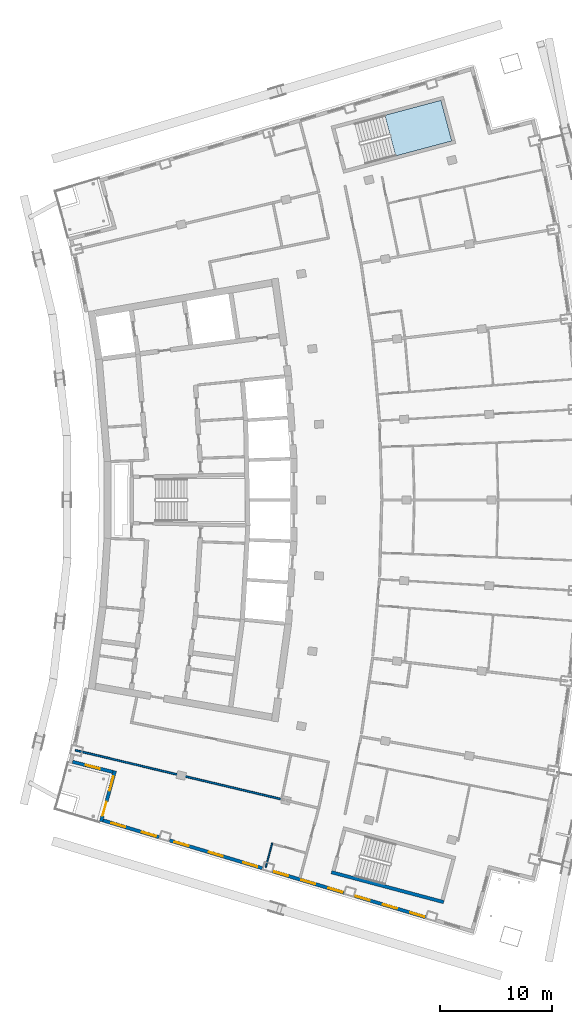
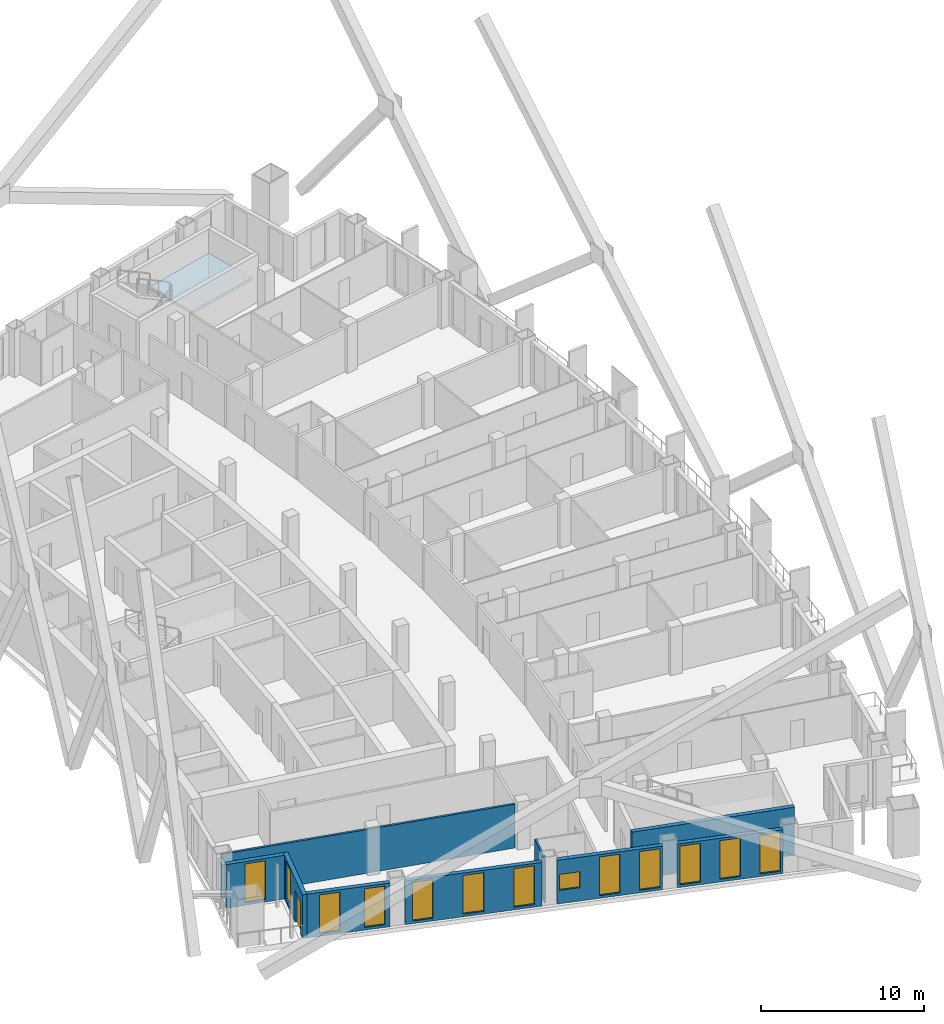
# One storey, part 9 of 20: 13 windows, 9 walls, 1 door, 1 slab, 14 openings, 1 element without a shape of its own.
"""IFC4 building model written with IfcOpenShell, lengths in metres."""

from ifc_helpers import new_model, si_unit, direction, frame, frame_2d, origin, place, context, subcontext, project, spatial, polyline, rectangle, outline, extrude, material, layer, layer_set, type_object, element, fill, aggregate, save


model = new_model("IFC4")

# Units and contexts
model_context = context("Model", 3, precision=1e-05, world=origin(), true_north=direction((0.0, 1.0)))
body_context = subcontext(model_context, "Body", "Model", "MODEL_VIEW")
ifc_project = project(units=[si_unit("LENGTHUNIT", "METRE"), si_unit("AREAUNIT", "SQUARE_METRE"), si_unit("VOLUMEUNIT", "CUBIC_METRE"), si_unit("PLANEANGLEUNIT", "RADIAN"), si_unit("MASSUNIT", "GRAM", prefix="KILO")], contexts=[model_context])

# Site, building, storey
site_placement = place(None, origin())
site = spatial("IfcSite", under=ifc_project, at=site_placement, CompositionType="ELEMENT")
building_placement = place(site_placement, origin())
building = spatial("IfcBuilding", under=site, at=building_placement, Name="Alderwake Tower", CompositionType="ELEMENT")
storey_placement = place(building_placement, frame((0.0, 0.0, 189.199951171875)))
storey = spatial("IfcBuildingStorey", under=building, at=storey_placement, Name="L46", CompositionType="ELEMENT", Elevation=189.199951171875)

# Stair, slab
ifc_material_1 = material(Name="Concrete C40/50", Category="concrete")
stair_type = type_object("IfcStairType", Name="Core exit stair", PredefinedType="HALF_TURN_STAIR", material=ifc_material_1)
stair_placement = place(storey_placement, origin())
stair = element("IfcStair", 1, at=stair_placement, inside=storey, type_object=stair_type, Name="L46 Exit Stair A", PredefinedType="HALF_TURN_STAIR")
ifc_material_2 = material(Name="Concrete C40/50", Category="concrete")
ifc_layer_1 = layer(ifc_material_2, 0.199951171875)
ifc_layer_set_1 = layer_set([ifc_layer_1], Name="Core stair landing 200")
slab_type = type_object("IfcSlabType", Name="Core stair landing 200", PredefinedType="LANDING", material=ifc_layer_set_1)
slab_placement = place(storey_placement, frame((0.0, 0.0, 1.60009765625)))
slab = element("IfcSlab", 2, at=slab_placement, type_object=slab_type, Name="ST-A landing 1", PredefinedType="LANDING", context=body_context, shape_type="SweptSolid", body=[
    extrude(outline(polyline([(42.440673828125, 91.67236328125), (47.436279296875, 93.003173828125), (46.47119140625, 96.626708984375), (41.475341796875, 95.296142578125), (42.440673828125, 91.67236328125)])), origin(), (0.0, 0.0, 1.0), 0.199951171875),
])
aggregate(stair, [slab])

# Walls
ifc_material_3 = material(Name="Concrete C70/85", Category="concrete")
ifc_layer_2 = layer(ifc_material_3, 0.300048828125)
ifc_layer_set_2 = layer_set([ifc_layer_2], Name="Core wall stair enclosure 300 C70-85")
wall_type_1 = type_object("IfcWallType", Name="Core wall stair enclosure 300 C70-85", PredefinedType="SHEAR", material=ifc_layer_set_2)
wall_1_placement = place(storey_placement, frame((36.71142578125, 27.817626953125, 0.0), z_axis=(0.0, 0.0, 1.0), x_axis=(0.966309214305, -0.257383958996, 0.0)))
element("IfcWall", 3, at=wall_1_placement, inside=storey, type_object=wall_type_1, Name="Core wall CW.088", PredefinedType="SHEAR", context=body_context, shape_type="SweptSolid", body=[
    extrude(rectangle(XDim=10.360107421875, YDim=0.300048828125, at=frame_2d((5.18017578125, 0.0))), origin(), (0.0, 0.0, 1.0), 3.60009765625),
])
ifc_material_4 = material(Name="Gypsum board on metal studs, rated")
ifc_layer_3 = layer(ifc_material_4, 0.159912109375)
ifc_layer_set_3 = layer_set([ifc_layer_3], Name="Corridor wall 160")
wall_type_2 = type_object("IfcWallType", Name="Corridor wall 160", PredefinedType="PARTITIONING", material=ifc_layer_set_3)
wall_2_placement = place(storey_placement, frame((13.884033203125, 38.68798828125, 0.0), z_axis=(0.0, 0.0, 1.0), x_axis=(0.972897690171, -0.231235993004, 0.0)))
element("IfcWall", 4, at=wall_2_placement, inside=storey, type_object=wall_type_2, Name="WL/L46/W08", PredefinedType="PARTITIONING", context=body_context, shape_type="SweptSolid", body=[
    extrude(rectangle(XDim=18.8271484375, YDim=0.159912109375, at=frame_2d((9.41357421875, 0.0))), origin(), (0.0, 0.0, 1.0), 3.280029296875),
])

# Wall, opening, window
ifc_material_5 = material(Name="Bronze metal cladding on lightweight framing")
ifc_layer_4 = layer(ifc_material_5, 0.300048828125)
ifc_layer_set_4 = layer_set([ifc_layer_4], Name="External wall EW2 bronze metal cladding")
wall_type_3 = type_object("IfcWallType", Name="External wall EW2 bronze metal cladding", PredefinedType="SOLIDWALL", material=ifc_layer_set_4)
wall_3_placement = place(storey_placement, frame((13.633056640625, 37.660400390625, 0.0), z_axis=(0.0, 0.0, 1.0), x_axis=(0.969417366605, -0.245417948254, 0.0)))
wall_3 = element("IfcWall", 5, at=wall_3_placement, inside=storey, type_object=wall_type_3, Name="External wall 2", PredefinedType="SOLIDWALL", context=body_context, shape_type="SweptSolid", body=[
    extrude(rectangle(XDim=3.70556640625, YDim=0.300048828125, at=frame_2d((1.852783203125, 0.0))), origin(), (0.0, 0.0, 1.0), 3.280029296875),
])
opening_1_placement = place(wall_3_placement, frame((1.202880859375, 0.0, 0.199951171875)))
opening_1 = element("IfcOpeningElement", 6, at=opening_1_placement, cuts=wall_3, Name="Opening W1", PredefinedType="OPENING", context=body_context, shape_type="SweptSolid", body=[
    extrude(rectangle(XDim=1.300048828125, YDim=2.89990234375, at=frame_2d((0.64990234375, 1.449951171875))), frame((0.0, 0.159912109375, 0.0), z_axis=(0.0, -1.0, 0.0), x_axis=(1.0, 0.0, 0.0)), (0.0, 0.0, 1.0), 0.320068359375),
])
ifc_material_6 = material(Name="Bronze tinted glass in aluminium frame", Category="aluminium")
window_type_1 = type_object("IfcWindowType", Name="Window W1 tall fixed and vent", PartitioningType="DOUBLE_PANEL_VERTICAL", PredefinedType="WINDOW", material=ifc_material_6)
window_1_placement = place(opening_1_placement, origin())
window_1 = element("IfcWindow", 7, at=window_1_placement, inside=storey, type_object=window_type_1, Name="Window W1 tall fixed and vent", OverallHeight=2.89990234375, OverallWidth=1.300048828125, PartitioningType="DOUBLE_PANEL_VERTICAL", PredefinedType="WINDOW", context=body_context, shape_type="SweptSolid", body=[
    extrude(rectangle(XDim=1.300048828125, YDim=2.89990234375, at=frame_2d((0.64990234375, 1.449951171875))), frame((0.0, 0.030029296875, 0.0), z_axis=(0.0, -1.0, 0.0), x_axis=(1.0, 0.0, 0.0)), (0.0, 0.0, 1.0), 0.06005859375),
])
fill(opening_1, window_1)

# Wall, openings, door, window
wall_4_placement = place(storey_placement, frame((17.410400390625, 36.85888671875, 0.0), z_axis=(0.0, 0.0, 1.0), x_axis=(-0.264592640785, -0.96436027212, 0.0)))
wall_4 = element("IfcWall", 8, at=wall_4_placement, inside=storey, type_object=wall_type_3, Name="External wall 3", PredefinedType="SOLIDWALL", context=body_context, shape_type="SweptSolid", body=[
    extrude(rectangle(XDim=4.690185546875, YDim=0.300048828125, at=frame_2d((2.34521484375, 0.0))), origin(), (0.0, 0.0, 1.0), 3.280029296875),
])
opening_2_placement = place(wall_4_placement, frame((0.5224609375, 0.0, 0.199951171875)))
opening_2 = element("IfcOpeningElement", 9, at=opening_2_placement, cuts=wall_4, Name="Opening W1", PredefinedType="OPENING", context=body_context, shape_type="SweptSolid", body=[
    extrude(rectangle(XDim=1.300048828125, YDim=2.89990234375, at=frame_2d((0.64990234375, 1.449951171875))), frame((0.0, 0.159912109375, 0.0), z_axis=(0.0, -1.0, 0.0), x_axis=(1.0, 0.0, 0.0)), (0.0, 0.0, 1.0), 0.320068359375),
])
opening_3_placement = place(wall_4_placement, frame((2.867431640625, 0.0, 0.0)))
opening_3 = element("IfcOpeningElement", 10, at=opening_3_placement, cuts=wall_4, Name="Opening D01", PredefinedType="OPENING", context=body_context, shape_type="SweptSolid", body=[
    extrude(rectangle(XDim=1.300048828125, YDim=2.39990234375, at=frame_2d((0.64990234375, 1.199951171875))), frame((0.0, 0.159912109375, 0.0), z_axis=(0.0, -1.0, 0.0), x_axis=(1.0, 0.0, 0.0)), (0.0, 0.0, 1.0), 0.320068359375),
])
ifc_material_7 = material(Name="Bronze tinted glass in aluminium frame", Category="aluminium")
door_type = type_object("IfcDoorType", Name="Balcony door BD sliding", OperationType="SLIDING_TO_LEFT", PredefinedType="DOOR", material=ifc_material_7)
door_placement = place(opening_3_placement, origin())
door = element("IfcDoor", 11, at=door_placement, inside=storey, type_object=door_type, Name="Door D01", OperationType="SLIDING_TO_LEFT", OverallHeight=2.39990234375, OverallWidth=1.300048828125, PredefinedType="DOOR", context=body_context, shape_type="SweptSolid", body=[
    extrude(rectangle(XDim=1.300048828125, YDim=2.39990234375, at=frame_2d((0.64990234375, 1.199951171875))), frame((0.0, 0.02490234375, 0.0), z_axis=(0.0, -1.0, 0.0), x_axis=(1.0, 0.0, 0.0)), (0.0, 0.0, 1.0), 0.050048828125),
])
fill(opening_3, door)
window_2_placement = place(opening_2_placement, origin())
window_2 = element("IfcWindow", 12, at=window_2_placement, inside=storey, type_object=window_type_1, Name="Window W1 tall fixed and vent", OverallHeight=2.89990234375, OverallWidth=1.300048828125, PartitioningType="DOUBLE_PANEL_VERTICAL", PredefinedType="WINDOW", context=body_context, shape_type="SweptSolid", body=[
    extrude(rectangle(XDim=1.300048828125, YDim=2.89990234375, at=frame_2d((0.64990234375, 1.449951171875))), frame((0.0, 0.030029296875, 0.0), z_axis=(0.0, -1.0, 0.0), x_axis=(1.0, 0.0, 0.0)), (0.0, 0.0, 1.0), 0.06005859375),
])
fill(opening_2, window_2)

# Wall, openings, windows
wall_5_placement = place(storey_placement, frame((16.352783203125, 32.4375, 0.0), z_axis=(0.0, 0.0, 1.0), x_axis=(0.95777225046, -0.287527939944, 0.0)))
wall_5 = element("IfcWall", 13, at=wall_5_placement, inside=storey, type_object=wall_type_3, Name="External wall 4", PredefinedType="SOLIDWALL", context=body_context, shape_type="SweptSolid", body=[
    extrude(rectangle(XDim=5.224609375, YDim=0.300048828125, at=frame_2d((2.6123046875, 0.0))), origin(), (0.0, 0.0, 1.0), 3.280029296875),
])
opening_4_placement = place(wall_5_placement, frame((0.775390625, 0.0, 0.199951171875)))
opening_4 = element("IfcOpeningElement", 14, at=opening_4_placement, cuts=wall_5, Name="Opening W1", PredefinedType="OPENING", context=body_context, shape_type="SweptSolid", body=[
    extrude(rectangle(XDim=1.300048828125, YDim=2.89990234375, at=frame_2d((0.64990234375, 1.449951171875))), frame((0.0, 0.159912109375, 0.0), z_axis=(0.0, -1.0, 0.0), x_axis=(1.0, 0.0, 0.0)), (0.0, 0.0, 1.0), 0.320068359375),
])
opening_5_placement = place(wall_5_placement, frame((3.626220703125, 0.0, 0.199951171875)))
opening_5 = element("IfcOpeningElement", 15, at=opening_5_placement, cuts=wall_5, Name="Opening W1", PredefinedType="OPENING", context=body_context, shape_type="SweptSolid", body=[
    extrude(rectangle(XDim=1.300048828125, YDim=2.89990234375, at=frame_2d((0.64990234375, 1.449951171875))), frame((0.0, 0.159912109375, 0.0), z_axis=(0.0, -1.0, 0.0), x_axis=(1.0, 0.0, 0.0)), (0.0, 0.0, 1.0), 0.320068359375),
])
window_3_placement = place(opening_4_placement, origin())
window_3 = element("IfcWindow", 16, at=window_3_placement, inside=storey, type_object=window_type_1, Name="Window W1 tall fixed and vent", OverallHeight=2.89990234375, OverallWidth=1.300048828125, PartitioningType="DOUBLE_PANEL_VERTICAL", PredefinedType="WINDOW", context=body_context, shape_type="SweptSolid", body=[
    extrude(rectangle(XDim=1.300048828125, YDim=2.89990234375, at=frame_2d((0.64990234375, 1.449951171875))), frame((0.0, 0.030029296875, 0.0), z_axis=(0.0, -1.0, 0.0), x_axis=(1.0, 0.0, 0.0)), (0.0, 0.0, 1.0), 0.06005859375),
])
fill(opening_4, window_3)
window_4_placement = place(opening_5_placement, origin())
window_4 = element("IfcWindow", 17, at=window_4_placement, inside=storey, type_object=window_type_1, Name="Window W1 tall fixed and vent", OverallHeight=2.89990234375, OverallWidth=1.300048828125, PartitioningType="DOUBLE_PANEL_VERTICAL", PredefinedType="WINDOW", context=body_context, shape_type="SweptSolid", body=[
    extrude(rectangle(XDim=1.300048828125, YDim=2.89990234375, at=frame_2d((0.64990234375, 1.449951171875))), frame((0.0, 0.030029296875, 0.0), z_axis=(0.0, -1.0, 0.0), x_axis=(1.0, 0.0, 0.0)), (0.0, 0.0, 1.0), 0.06005859375),
])
fill(opening_5, window_4)

wall_6_placement = place(storey_placement, frame((22.270751953125, 30.660888671875, 0.0), z_axis=(0.0, 0.0, 1.0), x_axis=(0.957759421932, -0.287570669054, 0.0)))
wall_6 = element("IfcWall", 18, at=wall_6_placement, inside=storey, type_object=wall_type_3, Name="External wall 5", PredefinedType="SOLIDWALL", context=body_context, shape_type="SweptSolid", body=[
    extrude(rectangle(XDim=8.64599609375, YDim=0.300048828125, at=frame_2d((4.322998046875, 0.0))), origin(), (0.0, 0.0, 1.0), 3.280029296875),
])
opening_6_placement = place(wall_6_placement, frame((0.472900390625, 0.0, 0.199951171875)))
opening_6 = element("IfcOpeningElement", 19, at=opening_6_placement, cuts=wall_6, Name="Opening W1", PredefinedType="OPENING", context=body_context, shape_type="SweptSolid", body=[
    extrude(rectangle(XDim=1.300048828125, YDim=2.89990234375, at=frame_2d((0.64990234375, 1.449951171875))), frame((0.0, 0.159912109375, 0.0), z_axis=(0.0, -1.0, 0.0), x_axis=(1.0, 0.0, 0.0)), (0.0, 0.0, 1.0), 0.320068359375),
])
opening_7_placement = place(wall_6_placement, frame((3.673095703125, 0.0, 0.199951171875)))
opening_7 = element("IfcOpeningElement", 20, at=opening_7_placement, cuts=wall_6, Name="Opening W1", PredefinedType="OPENING", context=body_context, shape_type="SweptSolid", body=[
    extrude(rectangle(XDim=1.300048828125, YDim=2.89990234375, at=frame_2d((0.64990234375, 1.449951171875))), frame((0.0, 0.159912109375, 0.0), z_axis=(0.0, -1.0, 0.0), x_axis=(1.0, 0.0, 0.0)), (0.0, 0.0, 1.0), 0.320068359375),
])
opening_8_placement = place(wall_6_placement, frame((6.873046875, 0.0, 0.199951171875)))
opening_8 = element("IfcOpeningElement", 21, at=opening_8_placement, cuts=wall_6, Name="Opening W1", PredefinedType="OPENING", context=body_context, shape_type="SweptSolid", body=[
    extrude(rectangle(XDim=1.300048828125, YDim=2.89990234375, at=frame_2d((0.64990234375, 1.449951171875))), frame((0.0, 0.159912109375, 0.0), z_axis=(0.0, -1.0, 0.0), x_axis=(1.0, 0.0, 0.0)), (0.0, 0.0, 1.0), 0.320068359375),
])
window_5_placement = place(opening_6_placement, origin())
window_5 = element("IfcWindow", 22, at=window_5_placement, inside=storey, type_object=window_type_1, Name="Window W1 tall fixed and vent", OverallHeight=2.89990234375, OverallWidth=1.300048828125, PartitioningType="DOUBLE_PANEL_VERTICAL", PredefinedType="WINDOW", context=body_context, shape_type="SweptSolid", body=[
    extrude(rectangle(XDim=1.300048828125, YDim=2.89990234375, at=frame_2d((0.64990234375, 1.449951171875))), frame((0.0, 0.030029296875, 0.0), z_axis=(0.0, -1.0, 0.0), x_axis=(1.0, 0.0, 0.0)), (0.0, 0.0, 1.0), 0.06005859375),
])
fill(opening_6, window_5)
window_6_placement = place(opening_7_placement, origin())
window_6 = element("IfcWindow", 23, at=window_6_placement, inside=storey, type_object=window_type_1, Name="Window W1 tall fixed and vent", OverallHeight=2.89990234375, OverallWidth=1.300048828125, PartitioningType="DOUBLE_PANEL_VERTICAL", PredefinedType="WINDOW", context=body_context, shape_type="SweptSolid", body=[
    extrude(rectangle(XDim=1.300048828125, YDim=2.89990234375, at=frame_2d((0.64990234375, 1.449951171875))), frame((0.0, 0.030029296875, 0.0), z_axis=(0.0, -1.0, 0.0), x_axis=(1.0, 0.0, 0.0)), (0.0, 0.0, 1.0), 0.06005859375),
])
fill(opening_7, window_6)
window_7_placement = place(opening_8_placement, origin())
window_7 = element("IfcWindow", 24, at=window_7_placement, inside=storey, type_object=window_type_1, Name="Window W1 tall fixed and vent", OverallHeight=2.89990234375, OverallWidth=1.300048828125, PartitioningType="DOUBLE_PANEL_VERTICAL", PredefinedType="WINDOW", context=body_context, shape_type="SweptSolid", body=[
    extrude(rectangle(XDim=1.300048828125, YDim=2.89990234375, at=frame_2d((0.64990234375, 1.449951171875))), frame((0.0, 0.030029296875, 0.0), z_axis=(0.0, -1.0, 0.0), x_axis=(1.0, 0.0, 0.0)), (0.0, 0.0, 1.0), 0.06005859375),
])
fill(opening_8, window_7)

wall_7_placement = place(storey_placement, frame((31.465087890625, 27.900390625, 0.0), z_axis=(0.0, 0.0, 1.0), x_axis=(0.957767627806, -0.287543337825, 0.0)))
wall_7 = element("IfcWall", 25, at=wall_7_placement, inside=storey, type_object=wall_type_3, Name="External wall 6", PredefinedType="SOLIDWALL", context=body_context, shape_type="SweptSolid", body=[
    extrude(rectangle(XDim=6.646484375, YDim=0.300048828125, at=frame_2d((3.3232421875, 0.0))), origin(), (0.0, 0.0, 1.0), 3.280029296875),
])
opening_9_placement = place(wall_7_placement, frame((0.139892578125, 0.0, 1.0)))
opening_9 = element("IfcOpeningElement", 26, at=opening_9_placement, cuts=wall_7, Name="Opening W2", PredefinedType="OPENING", context=body_context, shape_type="SweptSolid", body=[
    extrude(rectangle(XDim=1.300048828125, YDim=1.199951171875, at=frame_2d((0.64990234375, 0.60009765625))), frame((0.0, 0.159912109375, 0.0), z_axis=(0.0, -1.0, 0.0), x_axis=(1.0, 0.0, 0.0)), (0.0, 0.0, 1.0), 0.320068359375),
])
opening_10_placement = place(wall_7_placement, frame((2.673095703125, 0.0, 0.199951171875)))
opening_10 = element("IfcOpeningElement", 27, at=opening_10_placement, cuts=wall_7, Name="Opening W1", PredefinedType="OPENING", context=body_context, shape_type="SweptSolid", body=[
    extrude(rectangle(XDim=1.300048828125, YDim=2.89990234375, at=frame_2d((0.64990234375, 1.449951171875))), frame((0.0, 0.159912109375, 0.0), z_axis=(0.0, -1.0, 0.0), x_axis=(1.0, 0.0, 0.0)), (0.0, 0.0, 1.0), 0.320068359375),
])
opening_11_placement = place(wall_7_placement, frame((5.20654296875, 0.0, 0.199951171875)))
opening_11 = element("IfcOpeningElement", 28, at=opening_11_placement, cuts=wall_7, Name="Opening W1", PredefinedType="OPENING", context=body_context, shape_type="SweptSolid", body=[
    extrude(rectangle(XDim=1.300048828125, YDim=2.89990234375, at=frame_2d((0.64990234375, 1.449951171875))), frame((0.0, 0.159912109375, 0.0), z_axis=(0.0, -1.0, 0.0), x_axis=(1.0, 0.0, 0.0)), (0.0, 0.0, 1.0), 0.320068359375),
])
window_8_placement = place(opening_10_placement, origin())
window_8 = element("IfcWindow", 29, at=window_8_placement, inside=storey, type_object=window_type_1, Name="Window W1 tall fixed and vent", OverallHeight=2.89990234375, OverallWidth=1.300048828125, PartitioningType="DOUBLE_PANEL_VERTICAL", PredefinedType="WINDOW", context=body_context, shape_type="SweptSolid", body=[
    extrude(rectangle(XDim=1.300048828125, YDim=2.89990234375, at=frame_2d((0.64990234375, 1.449951171875))), frame((0.0, 0.030029296875, 0.0), z_axis=(0.0, -1.0, 0.0), x_axis=(1.0, 0.0, 0.0)), (0.0, 0.0, 1.0), 0.06005859375),
])
fill(opening_10, window_8)
window_9_placement = place(opening_11_placement, origin())
window_9 = element("IfcWindow", 30, at=window_9_placement, inside=storey, type_object=window_type_1, Name="Window W1 tall fixed and vent", OverallHeight=2.89990234375, OverallWidth=1.300048828125, PartitioningType="DOUBLE_PANEL_VERTICAL", PredefinedType="WINDOW", context=body_context, shape_type="SweptSolid", body=[
    extrude(rectangle(XDim=1.300048828125, YDim=2.89990234375, at=frame_2d((0.64990234375, 1.449951171875))), frame((0.0, 0.030029296875, 0.0), z_axis=(0.0, -1.0, 0.0), x_axis=(1.0, 0.0, 0.0)), (0.0, 0.0, 1.0), 0.06005859375),
])
fill(opening_11, window_9)
ifc_material_8 = material(Name="Bronze tinted glass in aluminium frame", Category="aluminium")
window_type_2 = type_object("IfcWindowType", Name="Window W2 kitchen and bath", PartitioningType="SINGLE_PANEL", PredefinedType="WINDOW", material=ifc_material_8)
window_10_placement = place(opening_9_placement, origin())
window_10 = element("IfcWindow", 31, at=window_10_placement, inside=storey, type_object=window_type_2, Name="Window W2 kitchen and bath", OverallHeight=1.199951171875, OverallWidth=1.300048828125, PartitioningType="SINGLE_PANEL", PredefinedType="WINDOW", context=body_context, shape_type="SweptSolid", body=[
    extrude(rectangle(XDim=1.300048828125, YDim=1.199951171875, at=frame_2d((0.64990234375, 0.60009765625))), frame((0.0, 0.030029296875, 0.0), z_axis=(0.0, -1.0, 0.0), x_axis=(1.0, 0.0, 0.0)), (0.0, 0.0, 1.0), 0.06005859375),
])
fill(opening_9, window_10)

wall_8_placement = place(storey_placement, frame((38.744384765625, 25.715087890625, 0.0), z_axis=(0.0, 0.0, 1.0), x_axis=(0.957757511153, -0.287577032861, 0.0)))
wall_8 = element("IfcWall", 32, at=wall_8_placement, inside=storey, type_object=wall_type_3, Name="External wall 7", PredefinedType="SOLIDWALL", context=body_context, shape_type="SweptSolid", body=[
    extrude(rectangle(XDim=6.646484375, YDim=0.300048828125, at=frame_2d((3.3232421875, 0.0))), origin(), (0.0, 0.0, 1.0), 3.280029296875),
])
opening_12_placement = place(wall_8_placement, frame((0.139892578125, 0.0, 0.199951171875)))
opening_12 = element("IfcOpeningElement", 33, at=opening_12_placement, cuts=wall_8, Name="Opening W1", PredefinedType="OPENING", context=body_context, shape_type="SweptSolid", body=[
    extrude(rectangle(XDim=1.300048828125, YDim=2.89990234375, at=frame_2d((0.64990234375, 1.449951171875))), frame((0.0, 0.159912109375, 0.0), z_axis=(0.0, -1.0, 0.0), x_axis=(1.0, 0.0, 0.0)), (0.0, 0.0, 1.0), 0.320068359375),
])
opening_13_placement = place(wall_8_placement, frame((2.673095703125, 0.0, 0.199951171875)))
opening_13 = element("IfcOpeningElement", 34, at=opening_13_placement, cuts=wall_8, Name="Opening W1", PredefinedType="OPENING", context=body_context, shape_type="SweptSolid", body=[
    extrude(rectangle(XDim=1.300048828125, YDim=2.89990234375, at=frame_2d((0.64990234375, 1.449951171875))), frame((0.0, 0.159912109375, 0.0), z_axis=(0.0, -1.0, 0.0), x_axis=(1.0, 0.0, 0.0)), (0.0, 0.0, 1.0), 0.320068359375),
])
opening_14_placement = place(wall_8_placement, frame((5.20654296875, 0.0, 0.199951171875)))
opening_14 = element("IfcOpeningElement", 35, at=opening_14_placement, cuts=wall_8, Name="Opening W1", PredefinedType="OPENING", context=body_context, shape_type="SweptSolid", body=[
    extrude(rectangle(XDim=1.300048828125, YDim=2.89990234375, at=frame_2d((0.64990234375, 1.449951171875))), frame((0.0, 0.159912109375, 0.0), z_axis=(0.0, -1.0, 0.0), x_axis=(1.0, 0.0, 0.0)), (0.0, 0.0, 1.0), 0.320068359375),
])
window_11_placement = place(opening_12_placement, origin())
window_11 = element("IfcWindow", 36, at=window_11_placement, inside=storey, type_object=window_type_1, Name="Window W1 tall fixed and vent", OverallHeight=2.89990234375, OverallWidth=1.300048828125, PartitioningType="DOUBLE_PANEL_VERTICAL", PredefinedType="WINDOW", context=body_context, shape_type="SweptSolid", body=[
    extrude(rectangle(XDim=1.300048828125, YDim=2.89990234375, at=frame_2d((0.64990234375, 1.449951171875))), frame((0.0, 0.030029296875, 0.0), z_axis=(0.0, -1.0, 0.0), x_axis=(1.0, 0.0, 0.0)), (0.0, 0.0, 1.0), 0.06005859375),
])
fill(opening_12, window_11)
window_12_placement = place(opening_13_placement, origin())
window_12 = element("IfcWindow", 37, at=window_12_placement, inside=storey, type_object=window_type_1, Name="Window W1 tall fixed and vent", OverallHeight=2.89990234375, OverallWidth=1.300048828125, PartitioningType="DOUBLE_PANEL_VERTICAL", PredefinedType="WINDOW", context=body_context, shape_type="SweptSolid", body=[
    extrude(rectangle(XDim=1.300048828125, YDim=2.89990234375, at=frame_2d((0.64990234375, 1.449951171875))), frame((0.0, 0.030029296875, 0.0), z_axis=(0.0, -1.0, 0.0), x_axis=(1.0, 0.0, 0.0)), (0.0, 0.0, 1.0), 0.06005859375),
])
fill(opening_13, window_12)
window_13_placement = place(opening_14_placement, origin())
window_13 = element("IfcWindow", 38, at=window_13_placement, inside=storey, type_object=window_type_1, Name="Window W1 tall fixed and vent", OverallHeight=2.89990234375, OverallWidth=1.300048828125, PartitioningType="DOUBLE_PANEL_VERTICAL", PredefinedType="WINDOW", context=body_context, shape_type="SweptSolid", body=[
    extrude(rectangle(XDim=1.300048828125, YDim=2.89990234375, at=frame_2d((0.64990234375, 1.449951171875))), frame((0.0, 0.030029296875, 0.0), z_axis=(0.0, -1.0, 0.0), x_axis=(1.0, 0.0, 0.0)), (0.0, 0.0, 1.0), 0.06005859375),
])
fill(opening_14, window_13)

# Wall
ifc_material_9 = material(Name="Moisture resistant gypsum board on metal studs")
ifc_layer_5 = layer(ifc_material_9, 0.1201171875)
ifc_layer_set_5 = layer_set([ifc_layer_5], Name="Wet room partition 120")
wall_type_4 = type_object("IfcWallType", Name="Wet room partition 120", PredefinedType="PARTITIONING", material=ifc_layer_set_5)
wall_9_placement = place(storey_placement, frame((31.4345703125, 30.4208984375, 0.0), z_axis=(0.0, 0.0, 1.0), x_axis=(-0.259480612243, -0.965748317042, 0.0)))
element("IfcWall", 39, at=wall_9_placement, inside=storey, type_object=wall_type_4, Name="WL/L46/W31", PredefinedType="PARTITIONING", context=body_context, shape_type="SweptSolid", body=[
    extrude(rectangle(XDim=2.25634765625, YDim=0.1201171875, at=frame_2d((1.128173828125, 0.0))), origin(), (0.0, 0.0, 1.0), 3.280029296875),
])

save(model, "model.ifc")
